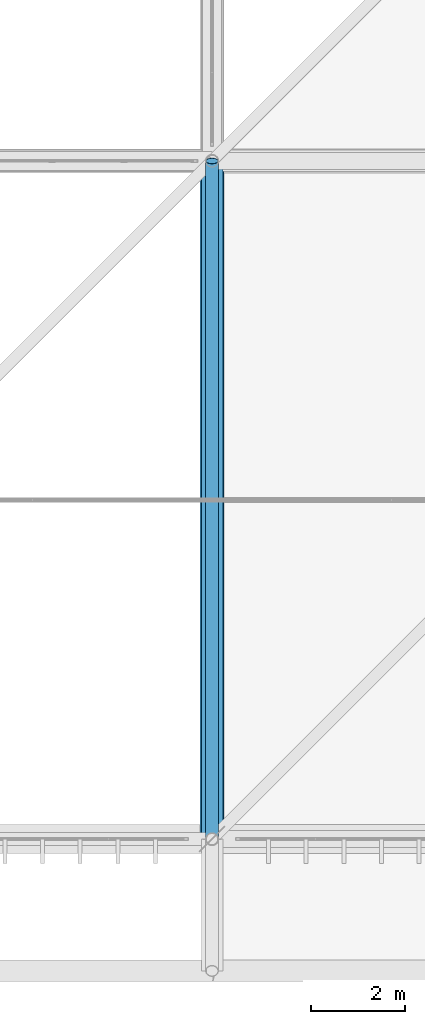
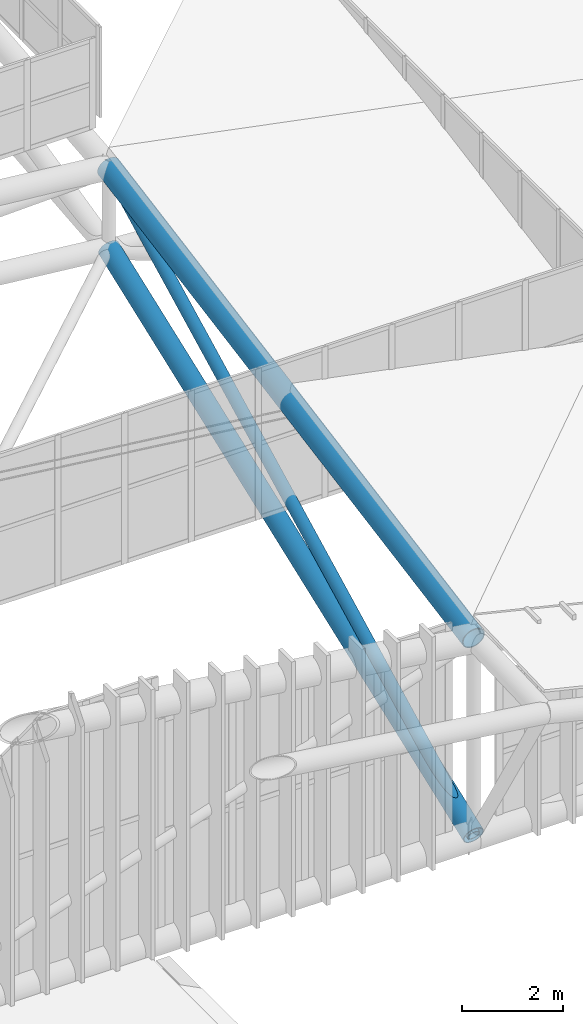
# One storey, part 118 of 397: 2 beams, 1 member.
"""IFC4 building model written with IfcOpenShell, lengths in metres."""

import ifcopenshell
import ifcopenshell.guid

model = None  # the IFC model being written
_history = None  # IfcOwnerHistory: only IFC2X3 demands one
_inside = {}  # id of a spatial element -> (the spatial element, [elements in it])
_under = {}  # id of a project, library or spatial element -> (it, [spatial elements below it])
_declared = {}  # id of a project -> (the project, [libraries it declares])
_typed = {}  # id of a type object -> (the type object, [elements of that type])
_made_of = {}  # id of a material, layer set ... -> (it, [elements and type objects made of it])


def new_model(schema):
    """Start an empty IFC model of exactly this schema.

    Asked for "IFC4X3", IfcOpenShell would pick the latest addendum, in which some entities
    have other attributes; the version numbers below select the first issue.
    IFC2X3 requires an IfcOwnerHistory on every rooted entity: one is made here for all.
    """
    global model, _history
    if schema == "IFC4X3":
        model = ifcopenshell.file(schema_version=(4, 3, 0, 0))
    else:
        model = ifcopenshell.file(schema=schema)
    _inside.clear()
    _under.clear()
    _declared.clear()
    _typed.clear()
    _made_of.clear()
    _history = None
    if model.schema == "IFC2X3":
        org = make("IfcOrganization", Name="unknown")
        user = make(
            "IfcPersonAndOrganization",
            ThePerson=make("IfcPerson", FamilyName="unknown"),
            TheOrganization=org,
        )
        app = make(
            "IfcApplication",
            ApplicationDeveloper=org,
            Version="unknown",
            ApplicationFullName="unknown",
            ApplicationIdentifier="unknown",
        )
        _history = make(
            "IfcOwnerHistory",
            OwningUser=user,
            OwningApplication=app,
            ChangeAction="ADDED",
            CreationDate=0,
        )
    return model


def make(cls, **values):
    """One entity of the class cls with the attributes given. An attribute that is None is left unset."""
    return model.create_entity(
        cls, **{name: value for name, value in values.items() if value is not None}
    )


def rooted(cls, **values):
    """An entity with a GlobalId (a new one), such as an element, a storey or a relation."""
    return make(cls, GlobalId=ifcopenshell.guid.new(), OwnerHistory=_history, **values)


def si_unit(unit_type, name, prefix=None):
    """IfcSIUnit, for example si_unit("LENGTHUNIT", "METRE", prefix="MILLI")."""
    return make("IfcSIUnit", UnitType=unit_type, Prefix=prefix, Name=name)


def assignment(units):
    """IfcUnitAssignment: the units of a project."""
    return None if units is None else make("IfcUnitAssignment", Units=units)


def point(xyz):
    """IfcCartesianPoint."""
    return None if xyz is None else make("IfcCartesianPoint", Coordinates=xyz)


def direction(xyz):
    """IfcDirection."""
    return None if xyz is None else make("IfcDirection", DirectionRatios=xyz)


def frame(location, z_axis=None, x_axis=None):
    """IfcAxis2Placement3D, a coordinate frame: its origin and axes. An axis left out is left unset."""
    return make(
        "IfcAxis2Placement3D",
        Location=point(location),
        Axis=direction(z_axis),
        RefDirection=direction(x_axis),
    )


def frame_2d(location, x_axis=None):
    """IfcAxis2Placement2D, a coordinate frame in the plane: its origin and x axis."""
    return make(
        "IfcAxis2Placement2D", Location=point(location), RefDirection=direction(x_axis)
    )


def origin():
    """The frame at (0, 0, 0) with its axes left unset."""
    return frame((0.0, 0.0, 0.0))


def origin_2d():
    """The frame at (0, 0) in the plane with its x axis left unset."""
    return frame_2d((0.0, 0.0))


def place(relative_to, where):
    """IfcLocalPlacement: puts the frame where relative to a parent placement (None: the world)."""
    return make(
        "IfcLocalPlacement", PlacementRelTo=relative_to, RelativePlacement=where
    )


def context(
    kind, dimensions, precision=None, world=None, true_north=None, identifier=None
):
    """IfcGeometricRepresentationContext, for example the 3D "Model" context."""
    return make(
        "IfcGeometricRepresentationContext",
        ContextIdentifier=identifier,
        ContextType=kind,
        CoordinateSpaceDimension=dimensions,
        Precision=precision,
        WorldCoordinateSystem=world,
        TrueNorth=true_north,
    )


def subcontext(parent, identifier, kind, view, scale=None):
    """IfcGeometricRepresentationSubContext, for example "Body" below "Model"."""
    return make(
        "IfcGeometricRepresentationSubContext",
        ContextIdentifier=identifier,
        ContextType=kind,
        ParentContext=parent,
        TargetScale=scale,
        TargetView=view,
    )


def project(units=None, contexts=None):
    """IfcProject with its units and contexts."""
    return rooted(
        "IfcProject",
        Name="project",
        RepresentationContexts=contexts,
        UnitsInContext=assignment(units),
    )


def spatial(cls, under=None, at=None, **own):
    """A site, building, storey or space (cls), placed at a placement, below another one or the project."""
    s = rooted(cls, ObjectPlacement=at, **own)
    if under is not None:
        _under.setdefault(under.id(), (under, []))[1].append(s)
    return s


def profile(cls, at=None, kind="AREA", **sizes):
    """A parametric profile (cls). Its sizes go by their IFC names, for example OverallWidth=200.0."""
    return make(cls, ProfileType=kind, Position=at, **sizes)


def hollow_circle(**sizes):
    """IfcCircleHollowProfileDef."""
    return profile("IfcCircleHollowProfileDef", **sizes)


def extrude(swept, where, along, depth):
    """IfcExtrudedAreaSolid: the profile swept, set in the frame where, extruded along a direction by depth."""
    return make(
        "IfcExtrudedAreaSolid",
        SweptArea=swept,
        Position=where,
        ExtrudedDirection=direction(along),
        Depth=depth,
    )


def shape(context_of_items, identifier, shape_type, items):
    """IfcShapeRepresentation: the items that make up one representation, for example the "Body"."""
    return make(
        "IfcShapeRepresentation",
        ContextOfItems=context_of_items,
        RepresentationIdentifier=identifier,
        RepresentationType=shape_type,
        Items=items,
    )


def material(Name=None, Category=None):
    """IfcMaterial."""
    return make("IfcMaterial", Name=Name, Category=Category)


def material_profile(
    of_material, cross_section, Name=None, Category=None, Priority=None
):
    """IfcMaterialProfile: a cross section and its material."""
    return make(
        "IfcMaterialProfile",
        Name=Name,
        Material=of_material,
        Profile=cross_section,
        Priority=Priority,
        Category=Category,
    )


def profile_set(profiles, Name=None, composite=None):
    """IfcMaterialProfileSet."""
    return make(
        "IfcMaterialProfileSet",
        Name=Name,
        MaterialProfiles=profiles,
        CompositeProfile=composite,
    )


def made_of(thing, what):
    """Note that an element or type object is made of a material, layer set ...; save() writes the relation."""
    if what is not None:
        _made_of.setdefault(what.id(), (what, []))[1].append(thing)
    return thing


def type_object(cls, material=None, **own):
    """A type object (cls), such as IfcWallType, which elements share."""
    return made_of(rooted(cls, **own), material)


def element(
    cls,
    number,
    at=None,
    inside=None,
    cuts=None,
    type_object=None,
    material=None,
    context=None,
    identifier="Body",
    shape_type=None,
    held_by="IfcProductDefinitionShape",
    body=None,
    shapes=None,
    **own,
):
    """One element of the class cls, such as IfcWall. Its Tag is "e" and its number.

    at: its placement. inside: the storey or other place that contains it. cuts: it is an
    opening in that element (IfcRelVoidsElement). A single representation is given by context,
    identifier, shape_type and body (its items); several are given by shapes. held_by: the class
    of the entity that holds the representations. save() writes the other relations.
    """
    e = rooted(cls, Tag="e%d" % number, ObjectPlacement=at, **own)
    if body is not None:
        shapes = [shape(context, identifier, shape_type, body)]
    if shapes is not None:
        e.Representation = make(held_by, Representations=shapes)
    if inside is not None:
        _inside.setdefault(inside.id(), (inside, []))[1].append(e)
    if cuts is not None:
        rooted(
            "IfcRelVoidsElement", RelatingBuildingElement=cuts, RelatedOpeningElement=e
        )
    if type_object is not None:
        _typed.setdefault(type_object.id(), (type_object, []))[1].append(e)
    return made_of(e, material)


def aggregate(whole, parts):
    """IfcRelAggregates: a whole, such as a stair, and the parts it consists of."""
    return rooted("IfcRelAggregates", RelatingObject=whole, RelatedObjects=parts)


def save(model, path):
    """Write the relations noted so far, then the file.

    IfcRelAggregates (storeys below a building ...), IfcRelContainedInSpatialStructure (elements
    in a storey), IfcRelDefinesByType, IfcRelAssociatesMaterial and IfcRelDeclares: one each for
    every whole, place, type object, material and project.
    """
    for whole, parts in _under.values():
        aggregate(whole, parts)
    for where, things in _inside.values():
        rooted(
            "IfcRelContainedInSpatialStructure",
            RelatedElements=things,
            RelatingStructure=where,
        )
    for kind, things in _typed.values():
        rooted("IfcRelDefinesByType", RelatedObjects=things, RelatingType=kind)
    for what, things in _made_of.values():
        rooted("IfcRelAssociatesMaterial", RelatedObjects=things, RelatingMaterial=what)
    for by, libraries in _declared.values():
        rooted("IfcRelDeclares", RelatingContext=by, RelatedDefinitions=libraries)
    model.write(path)


model = new_model("IFC4")

# Units and contexts
model_context = context("Model", 3, precision=1e-05, world=origin(), true_north=direction((0.0, 1.0)))
body_context = subcontext(model_context, "Body", "Model", "MODEL_VIEW")
ifc_project = project(units=[si_unit("LENGTHUNIT", "METRE"), si_unit("AREAUNIT", "SQUARE_METRE"), si_unit("VOLUMEUNIT", "CUBIC_METRE"), si_unit("PLANEANGLEUNIT", "RADIAN"), si_unit("MASSUNIT", "GRAM", prefix="KILO")], contexts=[model_context])

# Site, building, storey
site_placement = place(None, origin())
site = spatial("IfcSite", under=ifc_project, at=site_placement, CompositionType="ELEMENT")
building_placement = place(site_placement, origin())
building = spatial("IfcBuilding", under=site, at=building_placement, Name="Qandorah Velis Arena", CompositionType="ELEMENT")
storey_placement = place(building_placement, frame((0.0, 0.0, 27.5)))
storey = spatial("IfcBuildingStorey", under=building, at=storey_placement, Name="RF", CompositionType="ELEMENT", Elevation=27.5)

# Beams
ifc_material = material(Name="Steel S355", Category="steel")
ifc_material_profile_1 = material_profile(ifc_material, hollow_circle(Radius=0.228515625, WallThickness=0.01611328125, at=origin_2d()), Name="CHS 457x16")
ifc_profile_set_1 = profile_set([ifc_material_profile_1], Name="Steel S355")
beam_type_1 = type_object("IfcBeamType", Name="STR-SFC-CHS457X16", PredefinedType="USERDEFINED", material=ifc_profile_set_1)
beam_1_placement = place(storey_placement, frame((100.800048828125, 14.39990234375, 0.10009765625), z_axis=(0.0, 0.936003351498, 0.351991087933), x_axis=(-1.0, 0.0, 0.0)))
element("IfcBeam", 1, at=beam_1_placement, inside=storey, type_object=beam_type_1, Name="Space frame roof truss bottom chord Y 6.0", ObjectType="ROOF TRUSS", PredefinedType="USERDEFINED", context=body_context, shape_type="SweptSolid", body=[
    extrude(hollow_circle(Radius=0.228515625, WallThickness=0.01611328125, at=origin_2d()), origin(), (0.0, 0.0, 1.0), 15.384765625),
])
ifc_material_profile_2 = material_profile(ifc_material, hollow_circle(Radius=0.25390625, WallThickness=0.02001953125, at=origin_2d()), Name="CHS 508x20")
ifc_profile_set_2 = profile_set([ifc_material_profile_2], Name="Steel S355")
beam_type_2 = type_object("IfcBeamType", Name="STR-SFC-CHS508X20", PredefinedType="USERDEFINED", material=ifc_profile_set_2)
beam_2_placement = place(storey_placement, frame((100.800048828125, 14.39990234375, 4.851806640625), z_axis=(0.0, 0.98392617816, 0.178575686845), x_axis=(-1.0, 0.0, 0.0)))
element("IfcBeam", 2, at=beam_2_placement, inside=storey, type_object=beam_type_2, Name="Space frame roof truss top chord Y 6.0", ObjectType="ROOF TRUSS", PredefinedType="USERDEFINED", context=body_context, shape_type="SweptSolid", body=[
    extrude(hollow_circle(Radius=0.25390625, WallThickness=0.02001953125, at=origin_2d()), origin(), (0.0, 0.0, 1.0), 14.635498046875),
])

# Member
ifc_material_profile_3 = material_profile(ifc_material, hollow_circle(Radius=0.136474609375, WallThickness=0.010009765625, at=origin_2d()), Name="CHS 273x10")
ifc_profile_set_3 = profile_set([ifc_material_profile_3], Name="Steel S355")
member_type = type_object("IfcMemberType", Name="STR-SFD-CHS273X10", PredefinedType="STRUT", material=ifc_profile_set_3)
member_placement = place(storey_placement, frame((100.800048828125, 14.39990234375, 0.10009765625), z_axis=(0.0, 0.890305375726, 0.455363962072), x_axis=(-1.0, 0.0, 0.0)))
element("IfcMember", 3, at=member_placement, inside=storey, type_object=member_type, Name="Space frame roof diagonal Y 6.0", PredefinedType="STRUT", context=body_context, shape_type="SweptSolid", body=[
    extrude(hollow_circle(Radius=0.136474609375, WallThickness=0.010009765625, at=origin_2d()), origin(), (0.0, 0.0, 1.0), 16.17431640625),
])

save(model, "model.ifc")
